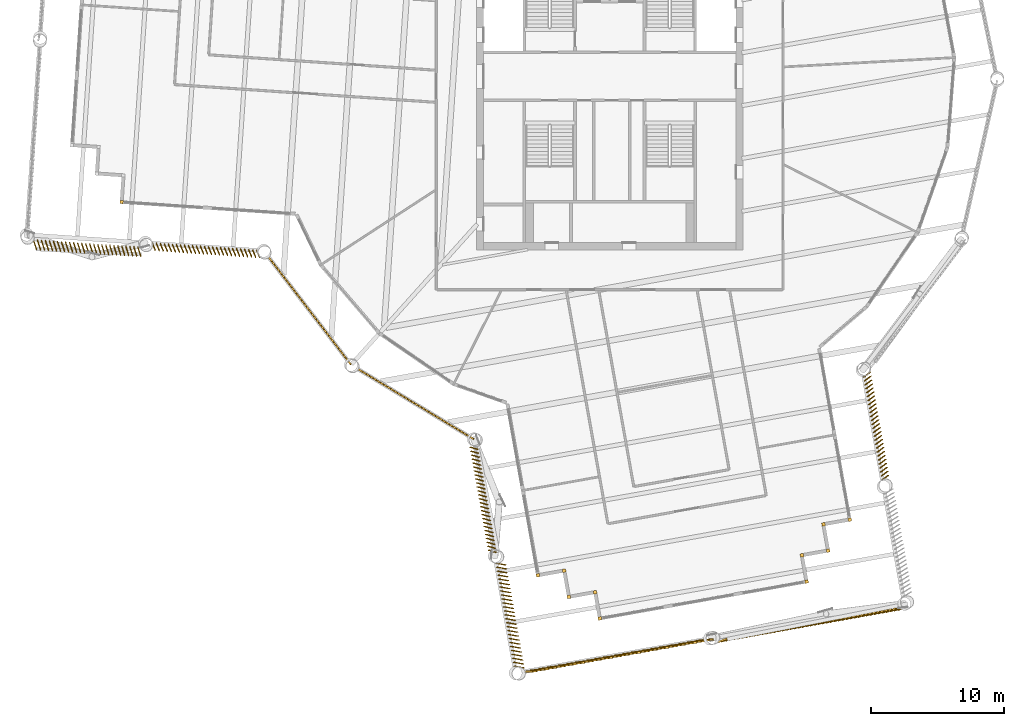
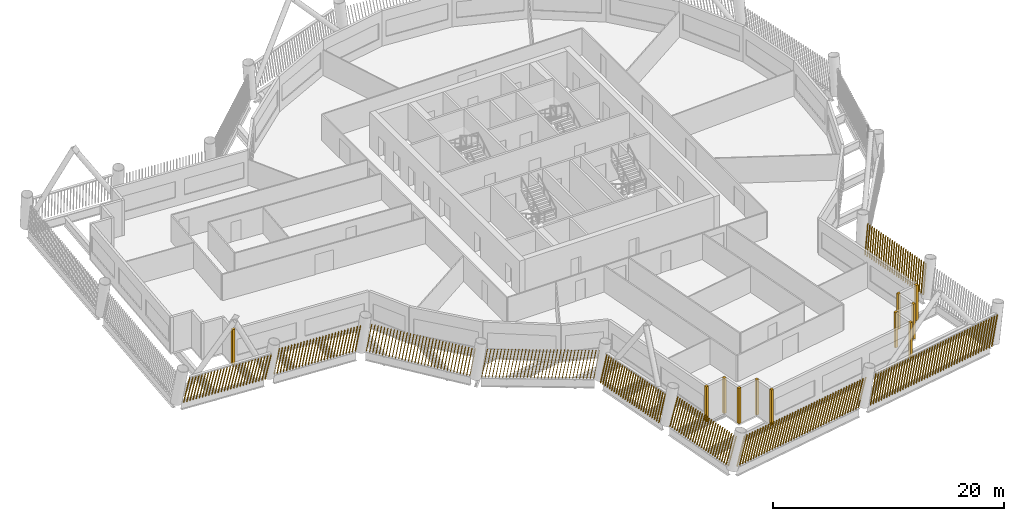
# One storey, part 18 of 22: 20 shading devices.
"""IFC4 building model written with IfcOpenShell, lengths in metres."""

from ifc_helpers import new_model, si_unit, direction, frame, frame_2d, origin, origin_2d, place, context, subcontext, project, spatial, rectangle, composite_profile, extrude, material, type_object, element, save


model = new_model("IFC4")

# Units and contexts
model_context = context("Model", 3, precision=1e-05, world=origin(), true_north=direction((0.0, 1.0)))
body_context = subcontext(model_context, "Body", "Model", "MODEL_VIEW")
ifc_project = project(units=[si_unit("LENGTHUNIT", "METRE"), si_unit("AREAUNIT", "SQUARE_METRE"), si_unit("VOLUMEUNIT", "CUBIC_METRE"), si_unit("PLANEANGLEUNIT", "RADIAN"), si_unit("MASSUNIT", "GRAM", prefix="KILO")], contexts=[model_context])

# Site, building, storey
site_placement = place(None, origin())
site = spatial("IfcSite", under=ifc_project, at=site_placement, CompositionType="ELEMENT")
building_placement = place(site_placement, origin())
building = spatial("IfcBuilding", under=site, at=building_placement, Name="Tarsis Ring Headquarters", CompositionType="ELEMENT")
storey_placement = place(building_placement, frame((0.0, 0.0, 270.800048828125)))
storey = spatial("IfcBuildingStorey", under=building, at=storey_placement, Name="L63", CompositionType="ELEMENT", Elevation=270.800048828125)

# Shading devices
ifc_material = material(Name="Terracotta baguette", Category="masonry")
shading_device_type_1 = type_object("IfcShadingDeviceType", Name="Terracotta baguette screen", PredefinedType="USERDEFINED", material=ifc_material)
shading_device_1_placement = place(storey_placement, frame((-18.96435546875, -21.886962890625, 0.0), z_axis=(0.0, 0.0, 1.0), x_axis=(0.855415365397, -0.51795128045, 0.0)))
element("IfcShadingDevice", 1, at=shading_device_1_placement, inside=storey, type_object=shading_device_type_1, Name="Baguette screen L63-00", ObjectType="Terracotta baguette screen", PredefinedType="USERDEFINED", context=body_context, shape_type="SweptSolid", body=[
    extrude(composite_profile([rectangle(XDim=0.06005859375, YDim=0.1201171875, at=frame_2d((0.030029296875, 0.0))), rectangle(XDim=0.06005859375, YDim=0.1201171875, at=frame_2d((0.33349609375, 0.0))), rectangle(XDim=0.06005859375, YDim=0.1201171875, at=frame_2d((0.636962890625, 0.0))), rectangle(XDim=0.06005859375, YDim=0.1201171875, at=frame_2d((0.9404296875, 0.0))), rectangle(XDim=0.06005859375, YDim=0.1201171875, at=frame_2d((1.243896484375, 0.0))), rectangle(XDim=0.06005859375, YDim=0.1201171875, at=frame_2d((1.54736328125, 0.0))), rectangle(XDim=0.06005859375, YDim=0.1201171875, at=frame_2d((1.85107421875, 0.0))), rectangle(XDim=0.06005859375, YDim=0.1201171875, at=frame_2d((2.154541015625, 0.0))), rectangle(XDim=0.06005859375, YDim=0.1201171875, at=frame_2d((2.4580078125, 0.0))), rectangle(XDim=0.06005859375, YDim=0.1201171875, at=frame_2d((2.761474609375, 0.0))), rectangle(XDim=0.06005859375, YDim=0.1201171875, at=frame_2d((3.06494140625, 0.0))), rectangle(XDim=0.06005859375, YDim=0.1201171875, at=frame_2d((3.368408203125, 0.0))), rectangle(XDim=0.06005859375, YDim=0.1201171875, at=frame_2d((3.671875, 0.0))), rectangle(XDim=0.06005859375, YDim=0.1201171875, at=frame_2d((3.975341796875, 0.0))), rectangle(XDim=0.06005859375, YDim=0.1201171875, at=frame_2d((4.27880859375, 0.0))), rectangle(XDim=0.06005859375, YDim=0.1201171875, at=frame_2d((4.582275390625, 0.0))), rectangle(XDim=0.06005859375, YDim=0.1201171875, at=frame_2d((4.8857421875, 0.0))), rectangle(XDim=0.06005859375, YDim=0.1201171875, at=frame_2d((5.189453125, 0.0))), rectangle(XDim=0.06005859375, YDim=0.1201171875, at=frame_2d((5.492919921875, 0.0))), rectangle(XDim=0.06005859375, YDim=0.1201171875, at=frame_2d((5.79638671875, 0.0))), rectangle(XDim=0.06005859375, YDim=0.1201171875, at=frame_2d((6.099853515625, 0.0))), rectangle(XDim=0.06005859375, YDim=0.1201171875, at=frame_2d((6.4033203125, 0.0))), rectangle(XDim=0.06005859375, YDim=0.1201171875, at=frame_2d((6.706787109375, 0.0))), rectangle(XDim=0.06005859375, YDim=0.1201171875, at=frame_2d((7.01025390625, 0.0))), rectangle(XDim=0.06005859375, YDim=0.1201171875, at=frame_2d((7.313720703125, 0.0))), rectangle(XDim=0.06005859375, YDim=0.1201171875, at=frame_2d((7.6171875, 0.0))), rectangle(XDim=0.06005859375, YDim=0.1201171875, at=frame_2d((7.920654296875, 0.0))), rectangle(XDim=0.06005859375, YDim=0.1201171875, at=frame_2d((8.224365234375, 0.0))), rectangle(XDim=0.06005859375, YDim=0.1201171875, at=frame_2d((8.52783203125, 0.0))), rectangle(XDim=0.06005859375, YDim=0.1201171875, at=frame_2d((8.831298828125, 0.0))), rectangle(XDim=0.06005859375, YDim=0.1201171875, at=frame_2d((9.134765625, 0.0))), rectangle(XDim=0.06005859375, YDim=0.1201171875, at=frame_2d((9.438232421875, 0.0))), rectangle(XDim=0.06005859375, YDim=0.1201171875, at=frame_2d((9.74169921875, 0.0)))]), origin(), (0.165546567358, 0.001444032934, 0.986200917057), 3.00927734375),
])
shading_device_2_placement = place(storey_placement, frame((-10.458984375, -27.765380859375, 0.0), z_axis=(0.0, 0.0, 1.0), x_axis=(0.175698220465, -0.984429065744, 0.0)))
element("IfcShadingDevice", 2, at=shading_device_2_placement, inside=storey, type_object=shading_device_type_1, Name="Baguette screen L63-01", ObjectType="Terracotta baguette screen", PredefinedType="USERDEFINED", context=body_context, shape_type="SweptSolid", body=[
    extrude(composite_profile([rectangle(XDim=0.06005859375, YDim=0.1201171875, at=frame_2d((0.030029296875, 0.0))), rectangle(XDim=0.06005859375, YDim=0.1201171875, at=frame_2d((0.33154296875, 0.0))), rectangle(XDim=0.06005859375, YDim=0.1201171875, at=frame_2d((0.63330078125, 0.0))), rectangle(XDim=0.06005859375, YDim=0.1201171875, at=frame_2d((0.934814453125, 0.0))), rectangle(XDim=0.06005859375, YDim=0.1201171875, at=frame_2d((1.236572265625, 0.0))), rectangle(XDim=0.06005859375, YDim=0.1201171875, at=frame_2d((1.5380859375, 0.0))), rectangle(XDim=0.06005859375, YDim=0.1201171875, at=frame_2d((1.83984375, 0.0))), rectangle(XDim=0.06005859375, YDim=0.1201171875, at=frame_2d((2.141357421875, 0.0))), rectangle(XDim=0.06005859375, YDim=0.1201171875, at=frame_2d((2.443115234375, 0.0))), rectangle(XDim=0.06005859375, YDim=0.1201171875, at=frame_2d((2.74462890625, 0.0))), rectangle(XDim=0.06005859375, YDim=0.1201171875, at=frame_2d((3.04638671875, 0.0))), rectangle(XDim=0.06005859375, YDim=0.1201171875, at=frame_2d((3.347900390625, 0.0))), rectangle(XDim=0.06005859375, YDim=0.1201171875, at=frame_2d((3.649658203125, 0.0))), rectangle(XDim=0.06005859375, YDim=0.1201171875, at=frame_2d((3.951171875, 0.0))), rectangle(XDim=0.06005859375, YDim=0.1201171875, at=frame_2d((4.252685546875, 0.0))), rectangle(XDim=0.06005859375, YDim=0.1201171875, at=frame_2d((4.554443359375, 0.0))), rectangle(XDim=0.06005859375, YDim=0.1201171875, at=frame_2d((4.85595703125, 0.0))), rectangle(XDim=0.06005859375, YDim=0.1201171875, at=frame_2d((5.15771484375, 0.0))), rectangle(XDim=0.06005859375, YDim=0.1201171875, at=frame_2d((5.459228515625, 0.0))), rectangle(XDim=0.06005859375, YDim=0.1201171875, at=frame_2d((5.760986328125, 0.0))), rectangle(XDim=0.06005859375, YDim=0.1201171875, at=frame_2d((6.0625, 0.0))), rectangle(XDim=0.06005859375, YDim=0.1201171875, at=frame_2d((6.3642578125, 0.0))), rectangle(XDim=0.06005859375, YDim=0.1201171875, at=frame_2d((6.665771484375, 0.0))), rectangle(XDim=0.06005859375, YDim=0.1201171875, at=frame_2d((6.967529296875, 0.0))), rectangle(XDim=0.06005859375, YDim=0.1201171875, at=frame_2d((7.26904296875, 0.0))), rectangle(XDim=0.06005859375, YDim=0.1201171875, at=frame_2d((7.57080078125, 0.0))), rectangle(XDim=0.06005859375, YDim=0.1201171875, at=frame_2d((7.872314453125, 0.0)))]), origin(), (0.08610568335, 0.170732686764, 0.981547839367), 3.023681640625),
])
shading_device_3_placement = place(storey_placement, frame((-8.525634765625, -36.463134765625, 0.0), z_axis=(0.0, 0.0, 1.0), x_axis=(0.175698220465, -0.984429065744, 0.0)))
element("IfcShadingDevice", 3, at=shading_device_3_placement, inside=storey, type_object=shading_device_type_1, Name="Baguette screen L63-02", ObjectType="Terracotta baguette screen", PredefinedType="USERDEFINED", context=body_context, shape_type="SweptSolid", body=[
    extrude(composite_profile([rectangle(XDim=0.06005859375, YDim=0.1201171875, at=frame_2d((0.030029296875, 0.0))), rectangle(XDim=0.06005859375, YDim=0.1201171875, at=frame_2d((0.33154296875, 0.0))), rectangle(XDim=0.06005859375, YDim=0.1201171875, at=frame_2d((0.63330078125, 0.0))), rectangle(XDim=0.06005859375, YDim=0.1201171875, at=frame_2d((0.934814453125, 0.0))), rectangle(XDim=0.06005859375, YDim=0.1201171875, at=frame_2d((1.236572265625, 0.0))), rectangle(XDim=0.06005859375, YDim=0.1201171875, at=frame_2d((1.5380859375, 0.0))), rectangle(XDim=0.06005859375, YDim=0.1201171875, at=frame_2d((1.83984375, 0.0))), rectangle(XDim=0.06005859375, YDim=0.1201171875, at=frame_2d((2.141357421875, 0.0))), rectangle(XDim=0.06005859375, YDim=0.1201171875, at=frame_2d((2.443115234375, 0.0))), rectangle(XDim=0.06005859375, YDim=0.1201171875, at=frame_2d((2.74462890625, 0.0))), rectangle(XDim=0.06005859375, YDim=0.1201171875, at=frame_2d((3.04638671875, 0.0))), rectangle(XDim=0.06005859375, YDim=0.1201171875, at=frame_2d((3.347900390625, 0.0))), rectangle(XDim=0.06005859375, YDim=0.1201171875, at=frame_2d((3.649658203125, 0.0))), rectangle(XDim=0.06005859375, YDim=0.1201171875, at=frame_2d((3.951171875, 0.0))), rectangle(XDim=0.06005859375, YDim=0.1201171875, at=frame_2d((4.252685546875, 0.0))), rectangle(XDim=0.06005859375, YDim=0.1201171875, at=frame_2d((4.554443359375, 0.0))), rectangle(XDim=0.06005859375, YDim=0.1201171875, at=frame_2d((4.85595703125, 0.0))), rectangle(XDim=0.06005859375, YDim=0.1201171875, at=frame_2d((5.15771484375, 0.0))), rectangle(XDim=0.06005859375, YDim=0.1201171875, at=frame_2d((5.459228515625, 0.0))), rectangle(XDim=0.06005859375, YDim=0.1201171875, at=frame_2d((5.760986328125, 0.0))), rectangle(XDim=0.06005859375, YDim=0.1201171875, at=frame_2d((6.0625, 0.0))), rectangle(XDim=0.06005859375, YDim=0.1201171875, at=frame_2d((6.3642578125, 0.0))), rectangle(XDim=0.06005859375, YDim=0.1201171875, at=frame_2d((6.665771484375, 0.0))), rectangle(XDim=0.06005859375, YDim=0.1201171875, at=frame_2d((6.967529296875, 0.0))), rectangle(XDim=0.06005859375, YDim=0.1201171875, at=frame_2d((7.26904296875, 0.0))), rectangle(XDim=0.06005859375, YDim=0.1201171875, at=frame_2d((7.57080078125, 0.0))), rectangle(XDim=0.06005859375, YDim=0.1201171875, at=frame_2d((7.872314453125, 0.0)))]), origin(), (0.082680368628, 0.2199383388, 0.972003643908), 3.05322265625),
])
shading_device_4_placement = place(storey_placement, frame((-6.55712890625, -44.646728515625, 0.0), z_axis=(0.0, 0.0, 1.0), x_axis=(0.984449083575, 0.175712971481, 0.0)))
element("IfcShadingDevice", 4, at=shading_device_4_placement, inside=storey, type_object=shading_device_type_1, Name="Baguette screen L63-03", ObjectType="Terracotta baguette screen", PredefinedType="USERDEFINED", context=body_context, shape_type="SweptSolid", body=[
    extrude(composite_profile([rectangle(XDim=0.06005859375, YDim=0.1201171875, at=frame_2d((0.030029296875, 0.0))), rectangle(XDim=0.06005859375, YDim=0.1201171875, at=frame_2d((0.33544921875, 0.0))), rectangle(XDim=0.06005859375, YDim=0.1201171875, at=frame_2d((0.640625, 0.0))), rectangle(XDim=0.06005859375, YDim=0.1201171875, at=frame_2d((0.946044921875, 0.0))), rectangle(XDim=0.06005859375, YDim=0.1201171875, at=frame_2d((1.25146484375, 0.0))), rectangle(XDim=0.06005859375, YDim=0.1201171875, at=frame_2d((1.556640625, 0.0))), rectangle(XDim=0.06005859375, YDim=0.1201171875, at=frame_2d((1.862060546875, 0.0))), rectangle(XDim=0.06005859375, YDim=0.1201171875, at=frame_2d((2.16748046875, 0.0))), rectangle(XDim=0.06005859375, YDim=0.1201171875, at=frame_2d((2.47265625, 0.0))), rectangle(XDim=0.06005859375, YDim=0.1201171875, at=frame_2d((2.778076171875, 0.0))), rectangle(XDim=0.06005859375, YDim=0.1201171875, at=frame_2d((3.08349609375, 0.0))), rectangle(XDim=0.06005859375, YDim=0.1201171875, at=frame_2d((3.388671875, 0.0))), rectangle(XDim=0.06005859375, YDim=0.1201171875, at=frame_2d((3.694091796875, 0.0))), rectangle(XDim=0.06005859375, YDim=0.1201171875, at=frame_2d((3.99951171875, 0.0))), rectangle(XDim=0.06005859375, YDim=0.1201171875, at=frame_2d((4.3046875, 0.0))), rectangle(XDim=0.06005859375, YDim=0.1201171875, at=frame_2d((4.610107421875, 0.0))), rectangle(XDim=0.06005859375, YDim=0.1201171875, at=frame_2d((4.91552734375, 0.0))), rectangle(XDim=0.06005859375, YDim=0.1201171875, at=frame_2d((5.220703125, 0.0))), rectangle(XDim=0.06005859375, YDim=0.1201171875, at=frame_2d((5.526123046875, 0.0))), rectangle(XDim=0.06005859375, YDim=0.1201171875, at=frame_2d((5.83154296875, 0.0))), rectangle(XDim=0.06005859375, YDim=0.1201171875, at=frame_2d((6.13671875, 0.0))), rectangle(XDim=0.06005859375, YDim=0.1201171875, at=frame_2d((6.442138671875, 0.0))), rectangle(XDim=0.06005859375, YDim=0.1201171875, at=frame_2d((6.74755859375, 0.0))), rectangle(XDim=0.06005859375, YDim=0.1201171875, at=frame_2d((7.052734375, 0.0))), rectangle(XDim=0.06005859375, YDim=0.1201171875, at=frame_2d((7.358154296875, 0.0))), rectangle(XDim=0.06005859375, YDim=0.1201171875, at=frame_2d((7.66357421875, 0.0))), rectangle(XDim=0.06005859375, YDim=0.1201171875, at=frame_2d((7.96875, 0.0))), rectangle(XDim=0.06005859375, YDim=0.1201171875, at=frame_2d((8.274169921875, 0.0))), rectangle(XDim=0.06005859375, YDim=0.1201171875, at=frame_2d((8.57958984375, 0.0))), rectangle(XDim=0.06005859375, YDim=0.1201171875, at=frame_2d((8.884765625, 0.0))), rectangle(XDim=0.06005859375, YDim=0.1201171875, at=frame_2d((9.190185546875, 0.0))), rectangle(XDim=0.06005859375, YDim=0.1201171875, at=frame_2d((9.49560546875, 0.0))), rectangle(XDim=0.06005859375, YDim=0.1201171875, at=frame_2d((9.80078125, 0.0))), rectangle(XDim=0.06005859375, YDim=0.1201171875, at=frame_2d((10.106201171875, 0.0))), rectangle(XDim=0.06005859375, YDim=0.1201171875, at=frame_2d((10.41162109375, 0.0))), rectangle(XDim=0.06005859375, YDim=0.1201171875, at=frame_2d((10.716796875, 0.0))), rectangle(XDim=0.06005859375, YDim=0.1201171875, at=frame_2d((11.022216796875, 0.0))), rectangle(XDim=0.06005859375, YDim=0.1201171875, at=frame_2d((11.32763671875, 0.0))), rectangle(XDim=0.06005859375, YDim=0.1201171875, at=frame_2d((11.6328125, 0.0))), rectangle(XDim=0.06005859375, YDim=0.1201171875, at=frame_2d((11.938232421875, 0.0))), rectangle(XDim=0.06005859375, YDim=0.1201171875, at=frame_2d((12.24365234375, 0.0))), rectangle(XDim=0.06005859375, YDim=0.1201171875, at=frame_2d((12.548828125, 0.0))), rectangle(XDim=0.06005859375, YDim=0.1201171875, at=frame_2d((12.854248046875, 0.0))), rectangle(XDim=0.06005859375, YDim=0.1201171875, at=frame_2d((13.15966796875, 0.0))), rectangle(XDim=0.06005859375, YDim=0.1201171875, at=frame_2d((13.46484375, 0.0))), rectangle(XDim=0.06005859375, YDim=0.1201171875, at=frame_2d((13.770263671875, 0.0)))]), origin(), (0.244230947621, -0.040035357401, 0.968890300489), 3.06298828125),
])
shading_device_5_placement = place(storey_placement, frame((8.07861328125, -42.41552734375, 0.0), z_axis=(0.0, 0.0, 1.0), x_axis=(0.984449083575, 0.175712971481, 0.0)))
element("IfcShadingDevice", 5, at=shading_device_5_placement, inside=storey, type_object=shading_device_type_1, Name="Baguette screen L63-04", ObjectType="Terracotta baguette screen", PredefinedType="USERDEFINED", context=body_context, shape_type="SweptSolid", body=[
    extrude(composite_profile([rectangle(XDim=0.06005859375, YDim=0.1201171875, at=frame_2d((0.030029296875, 0.0))), rectangle(XDim=0.06005859375, YDim=0.1201171875, at=frame_2d((0.33544921875, 0.0))), rectangle(XDim=0.06005859375, YDim=0.1201171875, at=frame_2d((0.640625, 0.0))), rectangle(XDim=0.06005859375, YDim=0.1201171875, at=frame_2d((0.946044921875, 0.0))), rectangle(XDim=0.06005859375, YDim=0.1201171875, at=frame_2d((1.25146484375, 0.0))), rectangle(XDim=0.06005859375, YDim=0.1201171875, at=frame_2d((1.556640625, 0.0))), rectangle(XDim=0.06005859375, YDim=0.1201171875, at=frame_2d((1.862060546875, 0.0))), rectangle(XDim=0.06005859375, YDim=0.1201171875, at=frame_2d((2.16748046875, 0.0))), rectangle(XDim=0.06005859375, YDim=0.1201171875, at=frame_2d((2.47265625, 0.0))), rectangle(XDim=0.06005859375, YDim=0.1201171875, at=frame_2d((2.778076171875, 0.0))), rectangle(XDim=0.06005859375, YDim=0.1201171875, at=frame_2d((3.08349609375, 0.0))), rectangle(XDim=0.06005859375, YDim=0.1201171875, at=frame_2d((3.388671875, 0.0))), rectangle(XDim=0.06005859375, YDim=0.1201171875, at=frame_2d((3.694091796875, 0.0))), rectangle(XDim=0.06005859375, YDim=0.1201171875, at=frame_2d((3.99951171875, 0.0))), rectangle(XDim=0.06005859375, YDim=0.1201171875, at=frame_2d((4.3046875, 0.0))), rectangle(XDim=0.06005859375, YDim=0.1201171875, at=frame_2d((4.610107421875, 0.0))), rectangle(XDim=0.06005859375, YDim=0.1201171875, at=frame_2d((4.91552734375, 0.0))), rectangle(XDim=0.06005859375, YDim=0.1201171875, at=frame_2d((5.220703125, 0.0))), rectangle(XDim=0.06005859375, YDim=0.1201171875, at=frame_2d((5.526123046875, 0.0))), rectangle(XDim=0.06005859375, YDim=0.1201171875, at=frame_2d((5.83154296875, 0.0))), rectangle(XDim=0.06005859375, YDim=0.1201171875, at=frame_2d((6.13671875, 0.0))), rectangle(XDim=0.06005859375, YDim=0.1201171875, at=frame_2d((6.442138671875, 0.0))), rectangle(XDim=0.06005859375, YDim=0.1201171875, at=frame_2d((6.74755859375, 0.0))), rectangle(XDim=0.06005859375, YDim=0.1201171875, at=frame_2d((7.052734375, 0.0))), rectangle(XDim=0.06005859375, YDim=0.1201171875, at=frame_2d((7.358154296875, 0.0))), rectangle(XDim=0.06005859375, YDim=0.1201171875, at=frame_2d((7.66357421875, 0.0))), rectangle(XDim=0.06005859375, YDim=0.1201171875, at=frame_2d((7.96875, 0.0))), rectangle(XDim=0.06005859375, YDim=0.1201171875, at=frame_2d((8.274169921875, 0.0))), rectangle(XDim=0.06005859375, YDim=0.1201171875, at=frame_2d((8.57958984375, 0.0))), rectangle(XDim=0.06005859375, YDim=0.1201171875, at=frame_2d((8.884765625, 0.0))), rectangle(XDim=0.06005859375, YDim=0.1201171875, at=frame_2d((9.190185546875, 0.0))), rectangle(XDim=0.06005859375, YDim=0.1201171875, at=frame_2d((9.49560546875, 0.0))), rectangle(XDim=0.06005859375, YDim=0.1201171875, at=frame_2d((9.80078125, 0.0))), rectangle(XDim=0.06005859375, YDim=0.1201171875, at=frame_2d((10.106201171875, 0.0))), rectangle(XDim=0.06005859375, YDim=0.1201171875, at=frame_2d((10.41162109375, 0.0))), rectangle(XDim=0.06005859375, YDim=0.1201171875, at=frame_2d((10.716796875, 0.0))), rectangle(XDim=0.06005859375, YDim=0.1201171875, at=frame_2d((11.022216796875, 0.0))), rectangle(XDim=0.06005859375, YDim=0.1201171875, at=frame_2d((11.32763671875, 0.0))), rectangle(XDim=0.06005859375, YDim=0.1201171875, at=frame_2d((11.6328125, 0.0))), rectangle(XDim=0.06005859375, YDim=0.1201171875, at=frame_2d((11.938232421875, 0.0))), rectangle(XDim=0.06005859375, YDim=0.1201171875, at=frame_2d((12.24365234375, 0.0))), rectangle(XDim=0.06005859375, YDim=0.1201171875, at=frame_2d((12.548828125, 0.0))), rectangle(XDim=0.06005859375, YDim=0.1201171875, at=frame_2d((12.854248046875, 0.0))), rectangle(XDim=0.06005859375, YDim=0.1201171875, at=frame_2d((13.15966796875, 0.0))), rectangle(XDim=0.06005859375, YDim=0.1201171875, at=frame_2d((13.46484375, 0.0))), rectangle(XDim=0.06005859375, YDim=0.1201171875, at=frame_2d((13.770263671875, 0.0)))]), origin(), (0.245503478607, 0.044286557114, 0.968383572171), 3.064697265625),
])
shading_device_6_placement = place(storey_placement, frame((20.43798828125, -30.277587890625, 0.0), z_axis=(0.0, 0.0, 1.0), x_axis=(-0.175698220465, 0.984429065744, 0.0)))
element("IfcShadingDevice", 6, at=shading_device_6_placement, inside=storey, type_object=shading_device_type_1, Name="Baguette screen L63-06", ObjectType="Terracotta baguette screen", PredefinedType="USERDEFINED", context=body_context, shape_type="SweptSolid", body=[
    extrude(composite_profile([rectangle(XDim=0.06005859375, YDim=0.1201171875, at=frame_2d((0.030029296875, 0.0))), rectangle(XDim=0.06005859375, YDim=0.1201171875, at=frame_2d((0.33154296875, 0.0))), rectangle(XDim=0.06005859375, YDim=0.1201171875, at=frame_2d((0.63330078125, 0.0))), rectangle(XDim=0.06005859375, YDim=0.1201171875, at=frame_2d((0.934814453125, 0.0))), rectangle(XDim=0.06005859375, YDim=0.1201171875, at=frame_2d((1.236572265625, 0.0))), rectangle(XDim=0.06005859375, YDim=0.1201171875, at=frame_2d((1.5380859375, 0.0))), rectangle(XDim=0.06005859375, YDim=0.1201171875, at=frame_2d((1.83984375, 0.0))), rectangle(XDim=0.06005859375, YDim=0.1201171875, at=frame_2d((2.141357421875, 0.0))), rectangle(XDim=0.06005859375, YDim=0.1201171875, at=frame_2d((2.443115234375, 0.0))), rectangle(XDim=0.06005859375, YDim=0.1201171875, at=frame_2d((2.74462890625, 0.0))), rectangle(XDim=0.06005859375, YDim=0.1201171875, at=frame_2d((3.04638671875, 0.0))), rectangle(XDim=0.06005859375, YDim=0.1201171875, at=frame_2d((3.347900390625, 0.0))), rectangle(XDim=0.06005859375, YDim=0.1201171875, at=frame_2d((3.649658203125, 0.0))), rectangle(XDim=0.06005859375, YDim=0.1201171875, at=frame_2d((3.951171875, 0.0))), rectangle(XDim=0.06005859375, YDim=0.1201171875, at=frame_2d((4.252685546875, 0.0))), rectangle(XDim=0.06005859375, YDim=0.1201171875, at=frame_2d((4.554443359375, 0.0))), rectangle(XDim=0.06005859375, YDim=0.1201171875, at=frame_2d((4.85595703125, 0.0))), rectangle(XDim=0.06005859375, YDim=0.1201171875, at=frame_2d((5.15771484375, 0.0))), rectangle(XDim=0.06005859375, YDim=0.1201171875, at=frame_2d((5.459228515625, 0.0))), rectangle(XDim=0.06005859375, YDim=0.1201171875, at=frame_2d((5.760986328125, 0.0))), rectangle(XDim=0.06005859375, YDim=0.1201171875, at=frame_2d((6.0625, 0.0))), rectangle(XDim=0.06005859375, YDim=0.1201171875, at=frame_2d((6.3642578125, 0.0))), rectangle(XDim=0.06005859375, YDim=0.1201171875, at=frame_2d((6.665771484375, 0.0))), rectangle(XDim=0.06005859375, YDim=0.1201171875, at=frame_2d((6.967529296875, 0.0))), rectangle(XDim=0.06005859375, YDim=0.1201171875, at=frame_2d((7.26904296875, 0.0))), rectangle(XDim=0.06005859375, YDim=0.1201171875, at=frame_2d((7.57080078125, 0.0))), rectangle(XDim=0.06005859375, YDim=0.1201171875, at=frame_2d((7.872314453125, 0.0)))]), origin(), (0.086927709394, -0.169252727556, 0.981731677983), 3.02294921875),
])
shading_device_7_placement = place(storey_placement, frame((-43.22998046875, -12.27783203125, 0.0), z_axis=(0.0, 0.0, 1.0), x_axis=(0.997713791399, -0.067690311419, 0.0)))
element("IfcShadingDevice", 7, at=shading_device_7_placement, inside=storey, type_object=shading_device_type_1, Name="Baguette screen L63-19", ObjectType="Terracotta baguette screen", PredefinedType="USERDEFINED", context=body_context, shape_type="SweptSolid", body=[
    extrude(composite_profile([rectangle(XDim=0.06005859375, YDim=0.1201171875, at=frame_2d((0.030029296875, 0.0))), rectangle(XDim=0.06005859375, YDim=0.1201171875, at=frame_2d((0.33154296875, 0.0))), rectangle(XDim=0.06005859375, YDim=0.1201171875, at=frame_2d((0.63330078125, 0.0))), rectangle(XDim=0.06005859375, YDim=0.1201171875, at=frame_2d((0.934814453125, 0.0))), rectangle(XDim=0.06005859375, YDim=0.1201171875, at=frame_2d((1.236572265625, 0.0))), rectangle(XDim=0.06005859375, YDim=0.1201171875, at=frame_2d((1.5380859375, 0.0))), rectangle(XDim=0.06005859375, YDim=0.1201171875, at=frame_2d((1.83984375, 0.0))), rectangle(XDim=0.06005859375, YDim=0.1201171875, at=frame_2d((2.141357421875, 0.0))), rectangle(XDim=0.06005859375, YDim=0.1201171875, at=frame_2d((2.443115234375, 0.0))), rectangle(XDim=0.06005859375, YDim=0.1201171875, at=frame_2d((2.74462890625, 0.0))), rectangle(XDim=0.06005859375, YDim=0.1201171875, at=frame_2d((3.04638671875, 0.0))), rectangle(XDim=0.06005859375, YDim=0.1201171875, at=frame_2d((3.347900390625, 0.0))), rectangle(XDim=0.06005859375, YDim=0.1201171875, at=frame_2d((3.649658203125, 0.0))), rectangle(XDim=0.06005859375, YDim=0.1201171875, at=frame_2d((3.951171875, 0.0))), rectangle(XDim=0.06005859375, YDim=0.1201171875, at=frame_2d((4.252685546875, 0.0))), rectangle(XDim=0.06005859375, YDim=0.1201171875, at=frame_2d((4.554443359375, 0.0))), rectangle(XDim=0.06005859375, YDim=0.1201171875, at=frame_2d((4.85595703125, 0.0))), rectangle(XDim=0.06005859375, YDim=0.1201171875, at=frame_2d((5.15771484375, 0.0))), rectangle(XDim=0.06005859375, YDim=0.1201171875, at=frame_2d((5.459228515625, 0.0))), rectangle(XDim=0.06005859375, YDim=0.1201171875, at=frame_2d((5.760986328125, 0.0))), rectangle(XDim=0.06005859375, YDim=0.1201171875, at=frame_2d((6.0625, 0.0))), rectangle(XDim=0.06005859375, YDim=0.1201171875, at=frame_2d((6.3642578125, 0.0))), rectangle(XDim=0.06005859375, YDim=0.1201171875, at=frame_2d((6.665771484375, 0.0))), rectangle(XDim=0.06005859375, YDim=0.1201171875, at=frame_2d((6.967529296875, 0.0))), rectangle(XDim=0.06005859375, YDim=0.1201171875, at=frame_2d((7.26904296875, 0.0))), rectangle(XDim=0.06005859375, YDim=0.1201171875, at=frame_2d((7.57080078125, 0.0))), rectangle(XDim=0.06005859375, YDim=0.1201171875, at=frame_2d((7.872314453125, 0.0)))]), origin(), (0.088642628384, -0.218404422383, 0.971824054403), 3.0537109375),
])
shading_device_8_placement = place(storey_placement, frame((-34.32275390625, -12.506103515625, 0.0), z_axis=(0.0, 0.0, 1.0), x_axis=(0.997713791399, -0.067659416708, 0.0)))
element("IfcShadingDevice", 8, at=shading_device_8_placement, inside=storey, type_object=shading_device_type_1, Name="Baguette screen L63-20", ObjectType="Terracotta baguette screen", PredefinedType="USERDEFINED", context=body_context, shape_type="SweptSolid", body=[
    extrude(composite_profile([rectangle(XDim=0.06005859375, YDim=0.1201171875, at=frame_2d((0.030029296875, 0.0))), rectangle(XDim=0.06005859375, YDim=0.1201171875, at=frame_2d((0.33154296875, 0.0))), rectangle(XDim=0.06005859375, YDim=0.1201171875, at=frame_2d((0.63330078125, 0.0))), rectangle(XDim=0.06005859375, YDim=0.1201171875, at=frame_2d((0.934814453125, 0.0))), rectangle(XDim=0.06005859375, YDim=0.1201171875, at=frame_2d((1.236572265625, 0.0))), rectangle(XDim=0.06005859375, YDim=0.1201171875, at=frame_2d((1.5380859375, 0.0))), rectangle(XDim=0.06005859375, YDim=0.1201171875, at=frame_2d((1.83984375, 0.0))), rectangle(XDim=0.06005859375, YDim=0.1201171875, at=frame_2d((2.141357421875, 0.0))), rectangle(XDim=0.06005859375, YDim=0.1201171875, at=frame_2d((2.443115234375, 0.0))), rectangle(XDim=0.06005859375, YDim=0.1201171875, at=frame_2d((2.74462890625, 0.0))), rectangle(XDim=0.06005859375, YDim=0.1201171875, at=frame_2d((3.04638671875, 0.0))), rectangle(XDim=0.06005859375, YDim=0.1201171875, at=frame_2d((3.347900390625, 0.0))), rectangle(XDim=0.06005859375, YDim=0.1201171875, at=frame_2d((3.649658203125, 0.0))), rectangle(XDim=0.06005859375, YDim=0.1201171875, at=frame_2d((3.951171875, 0.0))), rectangle(XDim=0.06005859375, YDim=0.1201171875, at=frame_2d((4.252685546875, 0.0))), rectangle(XDim=0.06005859375, YDim=0.1201171875, at=frame_2d((4.554443359375, 0.0))), rectangle(XDim=0.06005859375, YDim=0.1201171875, at=frame_2d((4.85595703125, 0.0))), rectangle(XDim=0.06005859375, YDim=0.1201171875, at=frame_2d((5.15771484375, 0.0))), rectangle(XDim=0.06005859375, YDim=0.1201171875, at=frame_2d((5.459228515625, 0.0))), rectangle(XDim=0.06005859375, YDim=0.1201171875, at=frame_2d((5.760986328125, 0.0))), rectangle(XDim=0.06005859375, YDim=0.1201171875, at=frame_2d((6.0625, 0.0))), rectangle(XDim=0.06005859375, YDim=0.1201171875, at=frame_2d((6.3642578125, 0.0))), rectangle(XDim=0.06005859375, YDim=0.1201171875, at=frame_2d((6.665771484375, 0.0))), rectangle(XDim=0.06005859375, YDim=0.1201171875, at=frame_2d((6.967529296875, 0.0))), rectangle(XDim=0.06005859375, YDim=0.1201171875, at=frame_2d((7.26904296875, 0.0))), rectangle(XDim=0.06005859375, YDim=0.1201171875, at=frame_2d((7.57080078125, 0.0))), rectangle(XDim=0.06005859375, YDim=0.1201171875, at=frame_2d((7.872314453125, 0.0)))]), origin(), (0.086926276308, -0.169257634554, 0.981730958885), 3.02294921875),
])
shading_device_9_placement = place(storey_placement, frame((-25.6357421875, -13.4716796875, 0.0), z_axis=(0.0, 0.0, 1.0), x_axis=(0.607845096814, -0.794053716427, 0.0)))
element("IfcShadingDevice", 9, at=shading_device_9_placement, inside=storey, type_object=shading_device_type_1, Name="Baguette screen L63-21", ObjectType="Terracotta baguette screen", PredefinedType="USERDEFINED", context=body_context, shape_type="SweptSolid", body=[
    extrude(composite_profile([rectangle(XDim=0.06005859375, YDim=0.1201171875, at=frame_2d((0.030029296875, 0.0))), rectangle(XDim=0.06005859375, YDim=0.1201171875, at=frame_2d((0.33349609375, 0.0))), rectangle(XDim=0.06005859375, YDim=0.1201171875, at=frame_2d((0.636962890625, 0.0))), rectangle(XDim=0.06005859375, YDim=0.1201171875, at=frame_2d((0.9404296875, 0.0))), rectangle(XDim=0.06005859375, YDim=0.1201171875, at=frame_2d((1.243896484375, 0.0))), rectangle(XDim=0.06005859375, YDim=0.1201171875, at=frame_2d((1.54736328125, 0.0))), rectangle(XDim=0.06005859375, YDim=0.1201171875, at=frame_2d((1.85107421875, 0.0))), rectangle(XDim=0.06005859375, YDim=0.1201171875, at=frame_2d((2.154541015625, 0.0))), rectangle(XDim=0.06005859375, YDim=0.1201171875, at=frame_2d((2.4580078125, 0.0))), rectangle(XDim=0.06005859375, YDim=0.1201171875, at=frame_2d((2.761474609375, 0.0))), rectangle(XDim=0.06005859375, YDim=0.1201171875, at=frame_2d((3.06494140625, 0.0))), rectangle(XDim=0.06005859375, YDim=0.1201171875, at=frame_2d((3.368408203125, 0.0))), rectangle(XDim=0.06005859375, YDim=0.1201171875, at=frame_2d((3.671875, 0.0))), rectangle(XDim=0.06005859375, YDim=0.1201171875, at=frame_2d((3.975341796875, 0.0))), rectangle(XDim=0.06005859375, YDim=0.1201171875, at=frame_2d((4.27880859375, 0.0))), rectangle(XDim=0.06005859375, YDim=0.1201171875, at=frame_2d((4.582275390625, 0.0))), rectangle(XDim=0.06005859375, YDim=0.1201171875, at=frame_2d((4.8857421875, 0.0))), rectangle(XDim=0.06005859375, YDim=0.1201171875, at=frame_2d((5.189453125, 0.0))), rectangle(XDim=0.06005859375, YDim=0.1201171875, at=frame_2d((5.492919921875, 0.0))), rectangle(XDim=0.06005859375, YDim=0.1201171875, at=frame_2d((5.79638671875, 0.0))), rectangle(XDim=0.06005859375, YDim=0.1201171875, at=frame_2d((6.099853515625, 0.0))), rectangle(XDim=0.06005859375, YDim=0.1201171875, at=frame_2d((6.4033203125, 0.0))), rectangle(XDim=0.06005859375, YDim=0.1201171875, at=frame_2d((6.706787109375, 0.0))), rectangle(XDim=0.06005859375, YDim=0.1201171875, at=frame_2d((7.01025390625, 0.0))), rectangle(XDim=0.06005859375, YDim=0.1201171875, at=frame_2d((7.313720703125, 0.0))), rectangle(XDim=0.06005859375, YDim=0.1201171875, at=frame_2d((7.6171875, 0.0))), rectangle(XDim=0.06005859375, YDim=0.1201171875, at=frame_2d((7.920654296875, 0.0))), rectangle(XDim=0.06005859375, YDim=0.1201171875, at=frame_2d((8.224365234375, 0.0))), rectangle(XDim=0.06005859375, YDim=0.1201171875, at=frame_2d((8.52783203125, 0.0))), rectangle(XDim=0.06005859375, YDim=0.1201171875, at=frame_2d((8.831298828125, 0.0))), rectangle(XDim=0.06005859375, YDim=0.1201171875, at=frame_2d((9.134765625, 0.0))), rectangle(XDim=0.06005859375, YDim=0.1201171875, at=frame_2d((9.438232421875, 0.0))), rectangle(XDim=0.06005859375, YDim=0.1201171875, at=frame_2d((9.74169921875, 0.0)))]), origin(), (0.165545386713, 0.001447788024, 0.986201109738), 3.00927734375),
])
shading_device_type_2 = type_object("IfcShadingDeviceType", Name="Terracotta corner baguette 250x250", PredefinedType="USERDEFINED", material=ifc_material)
for number, where, z_axis, x_axis, name in (
    (10, (-36.596435546875, -9.420166015625, 0.0), (0.0, 0.0, 1.0), (-0.067666506619, -0.997707995298, 0.0), "Corner baguette L63-01"),
    (11, (-5.38671875, -37.4033203125, 0.0), (0.0, 0.0, 1.0), (0.175710354659, -0.984441908528, 0.0), "Corner baguette L63-07"),
    (12, (-3.417724609375, -37.052001953125, 0.0), (0.0, 0.0, 1.0), (0.984441887061, 0.175710474931, 0.0), "Corner baguette L63-08"),
    (13, (-3.06640625, -39.02099609375, 0.0), (0.0, 0.0, 1.0), (0.175710389023, -0.984441902394, 0.0), "Corner baguette L63-09"),
    (14, (-1.097412109375, -38.66943359375, 0.0), (0.0, 0.0, 1.0), (0.984441801192, 0.17571095602, 0.0), "Corner baguette L63-10"),
    (15, (-0.74609375, -40.638427734375, 0.0), (0.0, 0.0, 1.0), (0.175709993842, -0.984441972929, 0.0), "Corner baguette L63-11"),
    (16, (14.759033203125, -37.870849609375, 0.0), (0.0, 0.0, 1.0), (0.984441905461, 0.175710371841, 0.0), "Corner baguette L63-12"),
    (17, (14.407470703125, -35.902099609375, 0.0), (0.0, 0.0, 1.0), (-0.175710474931, 0.984441887061, 0.0), "Corner baguette L63-13"),
    (18, (16.37646484375, -35.550537109375, 0.0), (0.0, 0.0, 1.0), (0.984441972929, 0.175709993842, 0.0), "Corner baguette L63-14"),
    (19, (16.02490234375, -33.581787109375, 0.0), (0.0, 0.0, 1.0), (-0.175710474931, 0.984441887061, 0.0), "Corner baguette L63-15"),
    (20, (17.993896484375, -33.230224609375, 0.0), (0.0, 0.0, 1.0), (0.984441887061, 0.175710474931, 0.0), "Corner baguette L63-16"),
):
    element("IfcShadingDevice", number, at=place(storey_placement, frame(where, z_axis=z_axis, x_axis=x_axis)), inside=storey, type_object=shading_device_type_2, Name=name, ObjectType="Terracotta corner baguette", PredefinedType="USERDEFINED", context=body_context, shape_type="SweptSolid", body=[
        extrude(rectangle(XDim=0.25, YDim=0.25, at=origin_2d()), origin(), (0.0, 0.0, 1.0), 3.739990234375),
    ])

save(model, "model.ifc")
